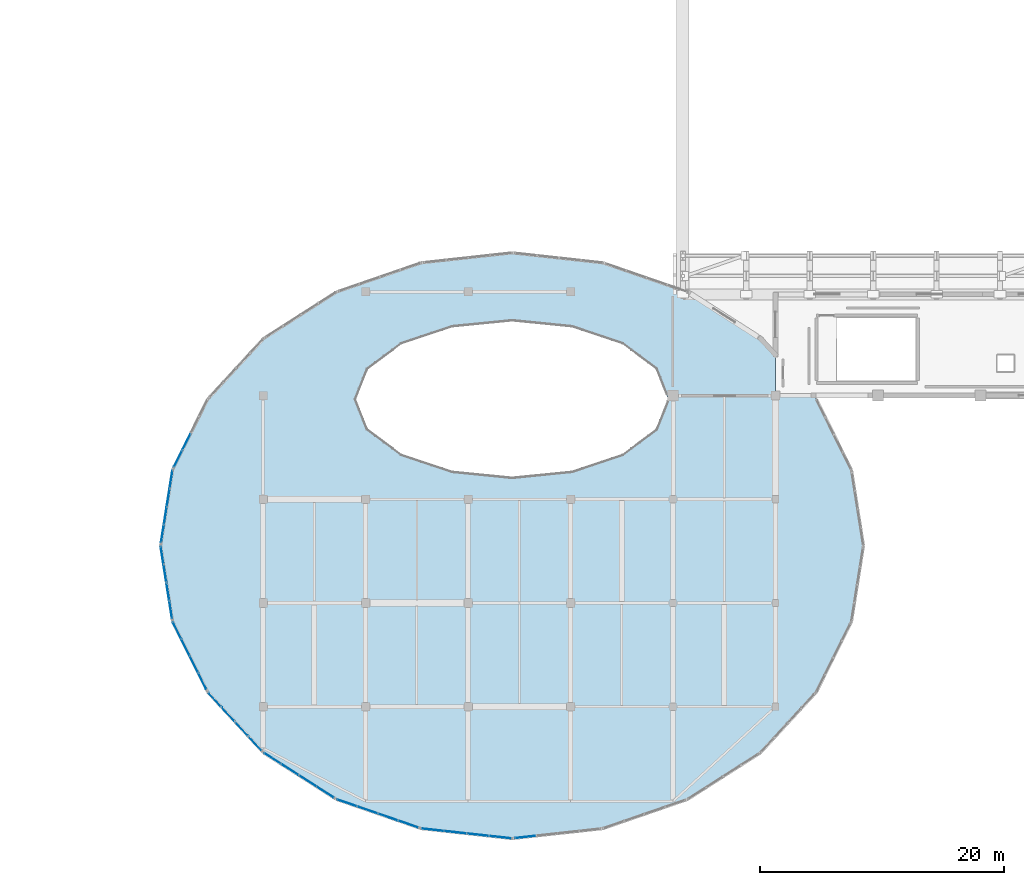
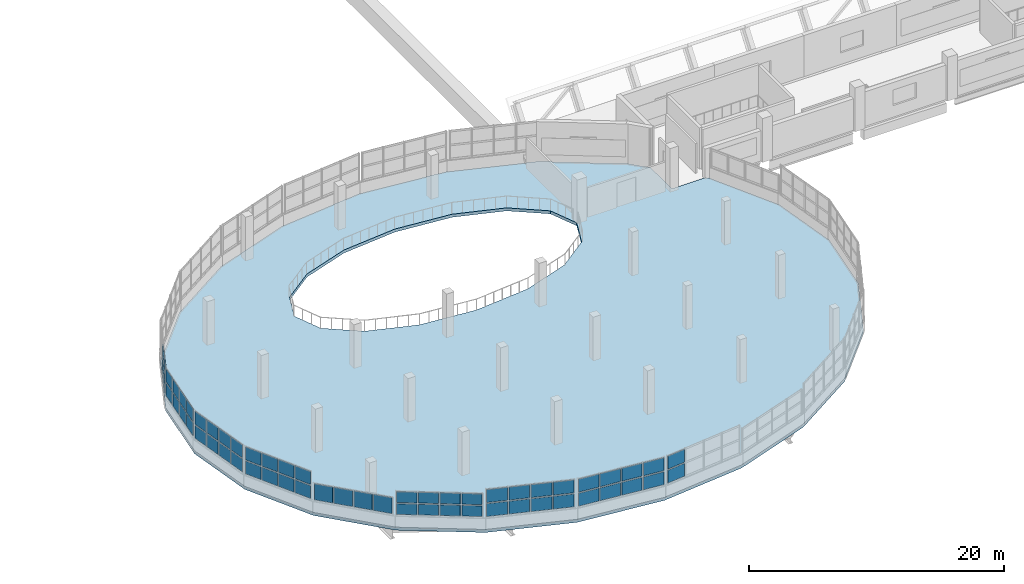
# One storey, part 33 of 52: 58 plates, 1 slab, 9 elements without a shape of their own.
"""IFC4 building model written with IfcOpenShell, lengths in metres."""

from ifc_helpers import new_model, si_unit, direction, frame, origin, origin_2d, place, context, subcontext, project, spatial, polyline, rectangle, outline, extrude, material, layer, layer_set, type_object, element, aggregate, save


model = new_model("IFC4")

# Units and contexts
model_context = context("Model", 3, precision=1e-05, world=origin(), true_north=direction((0.0, 1.0)))
body_context = subcontext(model_context, "Body", "Model", "MODEL_VIEW")
ifc_project = project(units=[si_unit("LENGTHUNIT", "METRE"), si_unit("AREAUNIT", "SQUARE_METRE"), si_unit("VOLUMEUNIT", "CUBIC_METRE"), si_unit("PLANEANGLEUNIT", "RADIAN"), si_unit("MASSUNIT", "GRAM", prefix="KILO")], contexts=[model_context])

# Site, building, storey
site_placement = place(None, origin())
site = spatial("IfcSite", under=ifc_project, at=site_placement, CompositionType="ELEMENT")
building_placement = place(site_placement, origin())
building = spatial("IfcBuilding", under=site, at=building_placement, Name="Solvento Point Concert Hall", CompositionType="ELEMENT")
storey_placement = place(building_placement, frame((0.0, 0.0, 19.5)))
storey = spatial("IfcBuildingStorey", under=building, at=storey_placement, Name="L04", CompositionType="ELEMENT", Elevation=19.5)

# Curtain wall, plates
ifc_material_1 = material(Name="Anodized Bronze Aluminium", Category="aluminium")
curtain_wall_type = type_object("IfcCurtainWallType", Name="CurtainWall_RingRibbon_L03_04", PredefinedType="USERDEFINED", material=ifc_material_1)
curtain_wall_1_placement = place(storey_placement, origin())
curtain_wall_1 = element("IfcCurtainWall", 1, at=curtain_wall_1_placement, inside=storey, type_object=curtain_wall_type, Name="Unitised curtain wall CW-31 UCW-L04-209", ObjectType="UNITISED CURTAIN WALL", PredefinedType="USERDEFINED")
ifc_material_2 = material(Name="Hurricane Laminated Low-E Glass", Category="glass")
plate_type = type_object("IfcPlateType", Name="CurtainPanel_RingUpper", PredefinedType="CURTAIN_PANEL", material=ifc_material_2)
plate_1_placement = place(storey_placement, frame((60.245849609375, 6.3046875, 1.239990234375), z_axis=(0.0, 0.0, 1.0), x_axis=(-0.994035418963, 0.109057717961, 0.0)))
plate_1 = element("IfcPlate", 2, at=plate_1_placement, type_object=plate_type, Name="Glazed curtain panel GL-03", PredefinedType="CURTAIN_PANEL", context=body_context, shape_type="SweptSolid", body=[
    extrude(rectangle(XDim=1.73974609375, YDim=0.035888671875, at=origin_2d()), origin(), (0.0, 0.0, 1.0), 1.22998046875),
])
plate_2_placement = place(storey_placement, frame((60.245849609375, 6.3046875, 2.590087890625), z_axis=(0.0, 0.0, 1.0), x_axis=(-0.994035418963, 0.109057717961, 0.0)))
plate_2 = element("IfcPlate", 3, at=plate_2_placement, type_object=plate_type, Name="Glazed curtain panel GL-03", PredefinedType="CURTAIN_PANEL", context=body_context, shape_type="SweptSolid", body=[
    extrude(rectangle(XDim=1.73974609375, YDim=0.035888671875, at=origin_2d()), origin(), (0.0, 0.0, 1.0), 1.22998046875),
])
plate_3_placement = place(storey_placement, frame((58.397216796875, 6.507568359375, 1.239990234375), z_axis=(0.0, 0.0, 1.0), x_axis=(-0.994035418963, 0.109057717961, 0.0)))
plate_3 = element("IfcPlate", 4, at=plate_3_placement, type_object=plate_type, Name="Glazed curtain panel GL-03", PredefinedType="CURTAIN_PANEL", context=body_context, shape_type="SweptSolid", body=[
    extrude(rectangle(XDim=1.73974609375, YDim=0.035888671875, at=origin_2d()), origin(), (0.0, 0.0, 1.0), 1.22998046875),
])
plate_4_placement = place(storey_placement, frame((58.397216796875, 6.507568359375, 2.590087890625), z_axis=(0.0, 0.0, 1.0), x_axis=(-0.994035418963, 0.109057717961, 0.0)))
plate_4 = element("IfcPlate", 5, at=plate_4_placement, type_object=plate_type, Name="Glazed curtain panel GL-03", PredefinedType="CURTAIN_PANEL", context=body_context, shape_type="SweptSolid", body=[
    extrude(rectangle(XDim=1.73974609375, YDim=0.035888671875, at=origin_2d()), origin(), (0.0, 0.0, 1.0), 1.22998046875),
])
plate_5_placement = place(storey_placement, frame((56.548583984375, 6.710205078125, 1.239990234375), z_axis=(0.0, 0.0, 1.0), x_axis=(-0.994035418963, 0.109057717961, 0.0)))
plate_5 = element("IfcPlate", 6, at=plate_5_placement, type_object=plate_type, Name="Glazed curtain panel GL-03", PredefinedType="CURTAIN_PANEL", context=body_context, shape_type="SweptSolid", body=[
    extrude(rectangle(XDim=1.73974609375, YDim=0.035888671875, at=origin_2d()), origin(), (0.0, 0.0, 1.0), 1.22998046875),
])
plate_6_placement = place(storey_placement, frame((56.548583984375, 6.710205078125, 2.590087890625), z_axis=(0.0, 0.0, 1.0), x_axis=(-0.994035418963, 0.109057717961, 0.0)))
plate_6 = element("IfcPlate", 7, at=plate_6_placement, type_object=plate_type, Name="Glazed curtain panel GL-03", PredefinedType="CURTAIN_PANEL", context=body_context, shape_type="SweptSolid", body=[
    extrude(rectangle(XDim=1.73974609375, YDim=0.035888671875, at=origin_2d()), origin(), (0.0, 0.0, 1.0), 1.22998046875),
])
plate_7_placement = place(storey_placement, frame((54.7001953125, 6.9130859375, 1.239990234375), z_axis=(0.0, 0.0, 1.0), x_axis=(-0.994035418963, 0.109057717961, 0.0)))
plate_7 = element("IfcPlate", 8, at=plate_7_placement, type_object=plate_type, Name="Glazed curtain panel GL-03", PredefinedType="CURTAIN_PANEL", context=body_context, shape_type="SweptSolid", body=[
    extrude(rectangle(XDim=1.73974609375, YDim=0.035888671875, at=origin_2d()), origin(), (0.0, 0.0, 1.0), 1.22998046875),
])
plate_8_placement = place(storey_placement, frame((54.7001953125, 6.9130859375, 2.590087890625), z_axis=(0.0, 0.0, 1.0), x_axis=(-0.994035418963, 0.109057717961, 0.0)))
plate_8 = element("IfcPlate", 9, at=plate_8_placement, type_object=plate_type, Name="Glazed curtain panel GL-03", PredefinedType="CURTAIN_PANEL", context=body_context, shape_type="SweptSolid", body=[
    extrude(rectangle(XDim=1.73974609375, YDim=0.035888671875, at=origin_2d()), origin(), (0.0, 0.0, 1.0), 1.22998046875),
])
aggregate(curtain_wall_1, [plate_1, plate_2, plate_3, plate_4, plate_5, plate_6, plate_7, plate_8])

curtain_wall_2_placement = place(storey_placement, origin())
curtain_wall_2 = element("IfcCurtainWall", 10, at=curtain_wall_2_placement, inside=storey, type_object=curtain_wall_type, Name="Unitised curtain wall CW-31 UCW-L04-210", ObjectType="UNITISED CURTAIN WALL", PredefinedType="USERDEFINED")
plate_9_placement = place(storey_placement, frame((52.69921875, 7.379150390625, 1.239990234375), z_axis=(0.0, 0.0, 1.0), x_axis=(-0.945271125843, 0.326285915492, 0.0)))
plate_9 = element("IfcPlate", 11, at=plate_9_placement, type_object=plate_type, Name="Glazed curtain panel GL-03", PredefinedType="CURTAIN_PANEL", context=body_context, shape_type="SweptSolid", body=[
    extrude(rectangle(XDim=1.654541015625, YDim=0.035888671875, at=origin_2d()), origin(), (0.0, 0.0, 1.0), 1.22998046875),
])
plate_10_placement = place(storey_placement, frame((52.69921875, 7.379150390625, 2.590087890625), z_axis=(0.0, 0.0, 1.0), x_axis=(-0.945271125843, 0.326285915492, 0.0)))
plate_10 = element("IfcPlate", 12, at=plate_10_placement, type_object=plate_type, Name="Glazed curtain panel GL-03", PredefinedType="CURTAIN_PANEL", context=body_context, shape_type="SweptSolid", body=[
    extrude(rectangle(XDim=1.654541015625, YDim=0.035888671875, at=origin_2d()), origin(), (0.0, 0.0, 1.0), 1.22998046875),
])
plate_11_placement = place(storey_placement, frame((51.02197265625, 7.9580078125, 1.239990234375), z_axis=(0.0, 0.0, 1.0), x_axis=(-0.945271125843, 0.326285915492, 0.0)))
plate_11 = element("IfcPlate", 13, at=plate_11_placement, type_object=plate_type, Name="Glazed curtain panel GL-03", PredefinedType="CURTAIN_PANEL", context=body_context, shape_type="SweptSolid", body=[
    extrude(rectangle(XDim=1.654541015625, YDim=0.035888671875, at=origin_2d()), origin(), (0.0, 0.0, 1.0), 1.22998046875),
])
plate_12_placement = place(storey_placement, frame((51.02197265625, 7.9580078125, 2.590087890625), z_axis=(0.0, 0.0, 1.0), x_axis=(-0.945271125843, 0.326285915492, 0.0)))
plate_12 = element("IfcPlate", 14, at=plate_12_placement, type_object=plate_type, Name="Glazed curtain panel GL-03", PredefinedType="CURTAIN_PANEL", context=body_context, shape_type="SweptSolid", body=[
    extrude(rectangle(XDim=1.654541015625, YDim=0.035888671875, at=origin_2d()), origin(), (0.0, 0.0, 1.0), 1.22998046875),
])
plate_13_placement = place(storey_placement, frame((49.344482421875, 8.537109375, 1.239990234375), z_axis=(0.0, 0.0, 1.0), x_axis=(-0.945271125843, 0.326285915492, 0.0)))
plate_13 = element("IfcPlate", 15, at=plate_13_placement, type_object=plate_type, Name="Glazed curtain panel GL-03", PredefinedType="CURTAIN_PANEL", context=body_context, shape_type="SweptSolid", body=[
    extrude(rectangle(XDim=1.654541015625, YDim=0.035888671875, at=origin_2d()), origin(), (0.0, 0.0, 1.0), 1.22998046875),
])
plate_14_placement = place(storey_placement, frame((49.344482421875, 8.537109375, 2.590087890625), z_axis=(0.0, 0.0, 1.0), x_axis=(-0.945271125843, 0.326285915492, 0.0)))
plate_14 = element("IfcPlate", 16, at=plate_14_placement, type_object=plate_type, Name="Glazed curtain panel GL-03", PredefinedType="CURTAIN_PANEL", context=body_context, shape_type="SweptSolid", body=[
    extrude(rectangle(XDim=1.654541015625, YDim=0.035888671875, at=origin_2d()), origin(), (0.0, 0.0, 1.0), 1.22998046875),
])
plate_15_placement = place(storey_placement, frame((47.6669921875, 9.1162109375, 1.239990234375), z_axis=(0.0, 0.0, 1.0), x_axis=(-0.945271125843, 0.326285915492, 0.0)))
plate_15 = element("IfcPlate", 17, at=plate_15_placement, type_object=plate_type, Name="Glazed curtain panel GL-03", PredefinedType="CURTAIN_PANEL", context=body_context, shape_type="SweptSolid", body=[
    extrude(rectangle(XDim=1.654541015625, YDim=0.035888671875, at=origin_2d()), origin(), (0.0, 0.0, 1.0), 1.22998046875),
])
plate_16_placement = place(storey_placement, frame((47.6669921875, 9.1162109375, 2.590087890625), z_axis=(0.0, 0.0, 1.0), x_axis=(-0.945271125843, 0.326285915492, 0.0)))
plate_16 = element("IfcPlate", 18, at=plate_16_placement, type_object=plate_type, Name="Glazed curtain panel GL-03", PredefinedType="CURTAIN_PANEL", context=body_context, shape_type="SweptSolid", body=[
    extrude(rectangle(XDim=1.654541015625, YDim=0.035888671875, at=origin_2d()), origin(), (0.0, 0.0, 1.0), 1.22998046875),
])
aggregate(curtain_wall_2, [plate_9, plate_10, plate_11, plate_12, plate_13, plate_14, plate_15, plate_16])

curtain_wall_3_placement = place(storey_placement, origin())
curtain_wall_3 = element("IfcCurtainWall", 19, at=curtain_wall_3_placement, inside=storey, type_object=curtain_wall_type, Name="Unitised curtain wall CW-31 UCW-L04-211", ObjectType="UNITISED CURTAIN WALL", PredefinedType="USERDEFINED")
plate_17_placement = place(storey_placement, frame((45.8955078125, 9.993896484375, 1.240234375), z_axis=(0.0, 0.0, 1.0), x_axis=(-0.842490008251, 0.538711969421, 0.0)))
plate_17 = element("IfcPlate", 20, at=plate_17_placement, type_object=plate_type, Name="Glazed curtain panel GL-03", PredefinedType="CURTAIN_PANEL", context=body_context, shape_type="SweptSolid", body=[
    extrude(rectangle(XDim=1.58740234375, YDim=0.035888671875, at=origin_2d()), origin(), (0.0, 0.0, 1.0), 1.023681640625),
])
plate_18_placement = place(storey_placement, frame((45.8955078125, 9.993896484375, 2.3837890625), z_axis=(0.0, 0.0, 1.0), x_axis=(-0.842490008251, 0.538711969421, 0.0)))
plate_18 = element("IfcPlate", 21, at=plate_18_placement, type_object=plate_type, Name="Glazed curtain panel GL-03", PredefinedType="CURTAIN_PANEL", context=body_context, shape_type="SweptSolid", body=[
    extrude(rectangle(XDim=1.58740234375, YDim=0.035888671875, at=origin_2d()), origin(), (0.0, 0.0, 1.0), 1.023681640625),
])
plate_19_placement = place(storey_placement, frame((44.456787109375, 10.913818359375, 1.240234375), z_axis=(0.0, 0.0, 1.0), x_axis=(-0.842490008251, 0.538711969421, 0.0)))
plate_19 = element("IfcPlate", 22, at=plate_19_placement, type_object=plate_type, Name="Glazed curtain panel GL-03", PredefinedType="CURTAIN_PANEL", context=body_context, shape_type="SweptSolid", body=[
    extrude(rectangle(XDim=1.58740234375, YDim=0.035888671875, at=origin_2d()), origin(), (0.0, 0.0, 1.0), 1.023681640625),
])
plate_20_placement = place(storey_placement, frame((44.456787109375, 10.913818359375, 2.3837890625), z_axis=(0.0, 0.0, 1.0), x_axis=(-0.842490008251, 0.538711969421, 0.0)))
plate_20 = element("IfcPlate", 23, at=plate_20_placement, type_object=plate_type, Name="Glazed curtain panel GL-03", PredefinedType="CURTAIN_PANEL", context=body_context, shape_type="SweptSolid", body=[
    extrude(rectangle(XDim=1.58740234375, YDim=0.035888671875, at=origin_2d()), origin(), (0.0, 0.0, 1.0), 1.023681640625),
])
plate_21_placement = place(storey_placement, frame((43.018310546875, 11.83349609375, 1.240234375), z_axis=(0.0, 0.0, 1.0), x_axis=(-0.842490008251, 0.538711969421, 0.0)))
plate_21 = element("IfcPlate", 24, at=plate_21_placement, type_object=plate_type, Name="Glazed curtain panel GL-03", PredefinedType="CURTAIN_PANEL", context=body_context, shape_type="SweptSolid", body=[
    extrude(rectangle(XDim=1.58740234375, YDim=0.035888671875, at=origin_2d()), origin(), (0.0, 0.0, 1.0), 1.023681640625),
])
plate_22_placement = place(storey_placement, frame((43.018310546875, 11.83349609375, 2.3837890625), z_axis=(0.0, 0.0, 1.0), x_axis=(-0.842490008251, 0.538711969421, 0.0)))
plate_22 = element("IfcPlate", 25, at=plate_22_placement, type_object=plate_type, Name="Glazed curtain panel GL-03", PredefinedType="CURTAIN_PANEL", context=body_context, shape_type="SweptSolid", body=[
    extrude(rectangle(XDim=1.58740234375, YDim=0.035888671875, at=origin_2d()), origin(), (0.0, 0.0, 1.0), 1.023681640625),
])
plate_23_placement = place(storey_placement, frame((41.579833984375, 12.75341796875, 1.240234375), z_axis=(0.0, 0.0, 1.0), x_axis=(-0.842490008251, 0.538711969421, 0.0)))
plate_23 = element("IfcPlate", 26, at=plate_23_placement, type_object=plate_type, Name="Glazed curtain panel GL-03", PredefinedType="CURTAIN_PANEL", context=body_context, shape_type="SweptSolid", body=[
    extrude(rectangle(XDim=1.58740234375, YDim=0.035888671875, at=origin_2d()), origin(), (0.0, 0.0, 1.0), 1.023681640625),
])
plate_24_placement = place(storey_placement, frame((41.579833984375, 12.75341796875, 2.3837890625), z_axis=(0.0, 0.0, 1.0), x_axis=(-0.842490008251, 0.538711969421, 0.0)))
plate_24 = element("IfcPlate", 27, at=plate_24_placement, type_object=plate_type, Name="Glazed curtain panel GL-03", PredefinedType="CURTAIN_PANEL", context=body_context, shape_type="SweptSolid", body=[
    extrude(rectangle(XDim=1.58740234375, YDim=0.035888671875, at=origin_2d()), origin(), (0.0, 0.0, 1.0), 1.023681640625),
])
aggregate(curtain_wall_3, [plate_17, plate_18, plate_19, plate_20, plate_21, plate_22, plate_23, plate_24])

curtain_wall_4_placement = place(storey_placement, origin())
curtain_wall_4 = element("IfcCurtainWall", 28, at=curtain_wall_4_placement, inside=storey, type_object=curtain_wall_type, Name="Unitised curtain wall CW-31 UCW-L04-212", ObjectType="UNITISED CURTAIN WALL", PredefinedType="USERDEFINED")
plate_25_placement = place(storey_placement, frame((40.13525390625, 13.989501953125, 1.240234375), z_axis=(0.0, 0.0, 1.0), x_axis=(-0.677365302802, 0.735646821892, 0.0)))
plate_25 = element("IfcPlate", 29, at=plate_25_placement, type_object=plate_type, Name="Glazed curtain panel GL-03", PredefinedType="CURTAIN_PANEL", context=body_context, shape_type="SweptSolid", body=[
    extrude(rectangle(XDim=1.506591796875, YDim=0.035888671875, at=origin_2d()), origin(), (0.0, 0.0, 1.0), 1.531982421875),
])
plate_26_placement = place(storey_placement, frame((39.033447265625, 15.186279296875, 1.240234375), z_axis=(0.0, 0.0, 1.0), x_axis=(-0.677365302802, 0.735646821892, 0.0)))
plate_26 = element("IfcPlate", 30, at=plate_26_placement, type_object=plate_type, Name="Glazed curtain panel GL-03", PredefinedType="CURTAIN_PANEL", context=body_context, shape_type="SweptSolid", body=[
    extrude(rectangle(XDim=1.506591796875, YDim=0.035888671875, at=origin_2d()), origin(), (0.0, 0.0, 1.0), 1.531982421875),
])
plate_27_placement = place(storey_placement, frame((37.931640625, 16.3828125, 1.240234375), z_axis=(0.0, 0.0, 1.0), x_axis=(-0.677365302802, 0.735646821892, 0.0)))
plate_27 = element("IfcPlate", 31, at=plate_27_placement, type_object=plate_type, Name="Glazed curtain panel GL-03", PredefinedType="CURTAIN_PANEL", context=body_context, shape_type="SweptSolid", body=[
    extrude(rectangle(XDim=1.506591796875, YDim=0.035888671875, at=origin_2d()), origin(), (0.0, 0.0, 1.0), 1.531982421875),
])
plate_28_placement = place(storey_placement, frame((36.829833984375, 17.57958984375, 1.240234375), z_axis=(0.0, 0.0, 1.0), x_axis=(-0.677365302802, 0.735646821892, 0.0)))
plate_28 = element("IfcPlate", 32, at=plate_28_placement, type_object=plate_type, Name="Glazed curtain panel GL-03", PredefinedType="CURTAIN_PANEL", context=body_context, shape_type="SweptSolid", body=[
    extrude(rectangle(XDim=1.506591796875, YDim=0.035888671875, at=origin_2d()), origin(), (0.0, 0.0, 1.0), 1.531982421875),
])
aggregate(curtain_wall_4, [plate_25, plate_26, plate_27, plate_28])

curtain_wall_5_placement = place(storey_placement, origin())
curtain_wall_5 = element("IfcCurtainWall", 33, at=curtain_wall_5_placement, inside=storey, type_object=curtain_wall_type, Name="Unitised curtain wall CW-31 UCW-L04-213", ObjectType="UNITISED CURTAIN WALL", PredefinedType="USERDEFINED")
plate_29_placement = place(storey_placement, frame((35.814697265625, 19.092529296875, 1.239990234375), z_axis=(0.0, 0.0, 1.0), x_axis=(-0.445115052099, 0.895473388993, 0.0)))
plate_29 = element("IfcPlate", 34, at=plate_29_placement, type_object=plate_type, Name="Glazed curtain panel GL-03", PredefinedType="CURTAIN_PANEL", context=body_context, shape_type="SweptSolid", body=[
    extrude(rectangle(XDim=1.43359375, YDim=0.035888671875, at=origin_2d()), origin(), (0.0, 0.0, 1.0), 1.22998046875),
])
plate_30_placement = place(storey_placement, frame((35.814697265625, 19.092529296875, 2.590087890625), z_axis=(0.0, 0.0, 1.0), x_axis=(-0.445115052099, 0.895473388993, 0.0)))
plate_30 = element("IfcPlate", 35, at=plate_30_placement, type_object=plate_type, Name="Glazed curtain panel GL-03", PredefinedType="CURTAIN_PANEL", context=body_context, shape_type="SweptSolid", body=[
    extrude(rectangle(XDim=1.43359375, YDim=0.035888671875, at=origin_2d()), origin(), (0.0, 0.0, 1.0), 1.22998046875),
])
plate_31_placement = place(storey_placement, frame((35.123291015625, 20.483642578125, 1.239990234375), z_axis=(0.0, 0.0, 1.0), x_axis=(-0.445115052099, 0.895473388993, 0.0)))
plate_31 = element("IfcPlate", 36, at=plate_31_placement, type_object=plate_type, Name="Glazed curtain panel GL-03", PredefinedType="CURTAIN_PANEL", context=body_context, shape_type="SweptSolid", body=[
    extrude(rectangle(XDim=1.43359375, YDim=0.035888671875, at=origin_2d()), origin(), (0.0, 0.0, 1.0), 1.22998046875),
])
plate_32_placement = place(storey_placement, frame((35.123291015625, 20.483642578125, 2.590087890625), z_axis=(0.0, 0.0, 1.0), x_axis=(-0.445115052099, 0.895473388993, 0.0)))
plate_32 = element("IfcPlate", 37, at=plate_32_placement, type_object=plate_type, Name="Glazed curtain panel GL-03", PredefinedType="CURTAIN_PANEL", context=body_context, shape_type="SweptSolid", body=[
    extrude(rectangle(XDim=1.43359375, YDim=0.035888671875, at=origin_2d()), origin(), (0.0, 0.0, 1.0), 1.22998046875),
])
plate_33_placement = place(storey_placement, frame((34.431884765625, 21.874755859375, 1.239990234375), z_axis=(0.0, 0.0, 1.0), x_axis=(-0.445115052099, 0.895473388993, 0.0)))
plate_33 = element("IfcPlate", 38, at=plate_33_placement, type_object=plate_type, Name="Glazed curtain panel GL-03", PredefinedType="CURTAIN_PANEL", context=body_context, shape_type="SweptSolid", body=[
    extrude(rectangle(XDim=1.43359375, YDim=0.035888671875, at=origin_2d()), origin(), (0.0, 0.0, 1.0), 1.22998046875),
])
plate_34_placement = place(storey_placement, frame((34.431884765625, 21.874755859375, 2.590087890625), z_axis=(0.0, 0.0, 1.0), x_axis=(-0.445115052099, 0.895473388993, 0.0)))
plate_34 = element("IfcPlate", 39, at=plate_34_placement, type_object=plate_type, Name="Glazed curtain panel GL-03", PredefinedType="CURTAIN_PANEL", context=body_context, shape_type="SweptSolid", body=[
    extrude(rectangle(XDim=1.43359375, YDim=0.035888671875, at=origin_2d()), origin(), (0.0, 0.0, 1.0), 1.22998046875),
])
plate_35_placement = place(storey_placement, frame((33.740478515625, 23.265869140625, 1.239990234375), z_axis=(0.0, 0.0, 1.0), x_axis=(-0.445115052099, 0.895473388993, 0.0)))
plate_35 = element("IfcPlate", 40, at=plate_35_placement, type_object=plate_type, Name="Glazed curtain panel GL-03", PredefinedType="CURTAIN_PANEL", context=body_context, shape_type="SweptSolid", body=[
    extrude(rectangle(XDim=1.43359375, YDim=0.035888671875, at=origin_2d()), origin(), (0.0, 0.0, 1.0), 1.22998046875),
])
plate_36_placement = place(storey_placement, frame((33.740478515625, 23.265869140625, 2.590087890625), z_axis=(0.0, 0.0, 1.0), x_axis=(-0.445115052099, 0.895473388993, 0.0)))
plate_36 = element("IfcPlate", 41, at=plate_36_placement, type_object=plate_type, Name="Glazed curtain panel GL-03", PredefinedType="CURTAIN_PANEL", context=body_context, shape_type="SweptSolid", body=[
    extrude(rectangle(XDim=1.43359375, YDim=0.035888671875, at=origin_2d()), origin(), (0.0, 0.0, 1.0), 1.22998046875),
])
aggregate(curtain_wall_5, [plate_29, plate_30, plate_31, plate_32, plate_33, plate_34, plate_35, plate_36])

curtain_wall_6_placement = place(storey_placement, origin())
curtain_wall_6 = element("IfcCurtainWall", 42, at=curtain_wall_6_placement, inside=storey, type_object=curtain_wall_type, Name="Unitised curtain wall CW-31 UCW-L04-214", ObjectType="UNITISED CURTAIN WALL", PredefinedType="USERDEFINED")
plate_37_placement = place(storey_placement, frame((33.229248046875, 24.951171875, 1.239990234375), z_axis=(0.0, 0.0, 1.0), x_axis=(-0.156041416836, 0.987750513152, 0.0)))
plate_37 = element("IfcPlate", 43, at=plate_37_placement, type_object=plate_type, Name="Glazed curtain panel GL-03", PredefinedType="CURTAIN_PANEL", context=body_context, shape_type="SweptSolid", body=[
    extrude(rectangle(XDim=1.3896484375, YDim=0.035888671875, at=origin_2d()), origin(), (0.0, 0.0, 1.0), 1.22998046875),
])
plate_38_placement = place(storey_placement, frame((33.229248046875, 24.951171875, 2.590087890625), z_axis=(0.0, 0.0, 1.0), x_axis=(-0.156041416836, 0.987750513152, 0.0)))
plate_38 = element("IfcPlate", 44, at=plate_38_placement, type_object=plate_type, Name="Glazed curtain panel GL-03", PredefinedType="CURTAIN_PANEL", context=body_context, shape_type="SweptSolid", body=[
    extrude(rectangle(XDim=1.3896484375, YDim=0.035888671875, at=origin_2d()), origin(), (0.0, 0.0, 1.0), 1.22998046875),
])
plate_39_placement = place(storey_placement, frame((32.99365234375, 26.4423828125, 1.239990234375), z_axis=(0.0, 0.0, 1.0), x_axis=(-0.156041416836, 0.987750513152, 0.0)))
plate_39 = element("IfcPlate", 45, at=plate_39_placement, type_object=plate_type, Name="Glazed curtain panel GL-03", PredefinedType="CURTAIN_PANEL", context=body_context, shape_type="SweptSolid", body=[
    extrude(rectangle(XDim=1.3896484375, YDim=0.035888671875, at=origin_2d()), origin(), (0.0, 0.0, 1.0), 1.22998046875),
])
plate_40_placement = place(storey_placement, frame((32.99365234375, 26.4423828125, 2.590087890625), z_axis=(0.0, 0.0, 1.0), x_axis=(-0.156041416836, 0.987750513152, 0.0)))
plate_40 = element("IfcPlate", 46, at=plate_40_placement, type_object=plate_type, Name="Glazed curtain panel GL-03", PredefinedType="CURTAIN_PANEL", context=body_context, shape_type="SweptSolid", body=[
    extrude(rectangle(XDim=1.3896484375, YDim=0.035888671875, at=origin_2d()), origin(), (0.0, 0.0, 1.0), 1.22998046875),
])
plate_41_placement = place(storey_placement, frame((32.758056640625, 27.93359375, 1.239990234375), z_axis=(0.0, 0.0, 1.0), x_axis=(-0.156041416836, 0.987750513152, 0.0)))
plate_41 = element("IfcPlate", 47, at=plate_41_placement, type_object=plate_type, Name="Glazed curtain panel GL-03", PredefinedType="CURTAIN_PANEL", context=body_context, shape_type="SweptSolid", body=[
    extrude(rectangle(XDim=1.3896484375, YDim=0.035888671875, at=origin_2d()), origin(), (0.0, 0.0, 1.0), 1.22998046875),
])
plate_42_placement = place(storey_placement, frame((32.758056640625, 27.93359375, 2.590087890625), z_axis=(0.0, 0.0, 1.0), x_axis=(-0.156041416836, 0.987750513152, 0.0)))
plate_42 = element("IfcPlate", 48, at=plate_42_placement, type_object=plate_type, Name="Glazed curtain panel GL-03", PredefinedType="CURTAIN_PANEL", context=body_context, shape_type="SweptSolid", body=[
    extrude(rectangle(XDim=1.3896484375, YDim=0.035888671875, at=origin_2d()), origin(), (0.0, 0.0, 1.0), 1.22998046875),
])
plate_43_placement = place(storey_placement, frame((32.5224609375, 29.4248046875, 1.239990234375), z_axis=(0.0, 0.0, 1.0), x_axis=(-0.156041416836, 0.987750513152, 0.0)))
plate_43 = element("IfcPlate", 49, at=plate_43_placement, type_object=plate_type, Name="Glazed curtain panel GL-03", PredefinedType="CURTAIN_PANEL", context=body_context, shape_type="SweptSolid", body=[
    extrude(rectangle(XDim=1.3896484375, YDim=0.035888671875, at=origin_2d()), origin(), (0.0, 0.0, 1.0), 1.22998046875),
])
plate_44_placement = place(storey_placement, frame((32.5224609375, 29.4248046875, 2.590087890625), z_axis=(0.0, 0.0, 1.0), x_axis=(-0.156041416836, 0.987750513152, 0.0)))
plate_44 = element("IfcPlate", 50, at=plate_44_placement, type_object=plate_type, Name="Glazed curtain panel GL-03", PredefinedType="CURTAIN_PANEL", context=body_context, shape_type="SweptSolid", body=[
    extrude(rectangle(XDim=1.3896484375, YDim=0.035888671875, at=origin_2d()), origin(), (0.0, 0.0, 1.0), 1.22998046875),
])
aggregate(curtain_wall_6, [plate_37, plate_38, plate_39, plate_40, plate_41, plate_42, plate_43, plate_44])

curtain_wall_7_placement = place(storey_placement, origin())
curtain_wall_7 = element("IfcCurtainWall", 51, at=curtain_wall_7_placement, inside=storey, type_object=curtain_wall_type, Name="Unitised curtain wall CW-31 UCW-L04-215", ObjectType="UNITISED CURTAIN WALL", PredefinedType="USERDEFINED")
plate_45_placement = place(storey_placement, frame((32.552001953125, 31.162841796875, 1.239990234375), z_axis=(0.0, 0.0, 1.0), x_axis=(0.156041416836, 0.987750513152, 0.0)))
plate_45 = element("IfcPlate", 52, at=plate_45_placement, type_object=plate_type, Name="Glazed curtain panel GL-03", PredefinedType="CURTAIN_PANEL", context=body_context, shape_type="SweptSolid", body=[
    extrude(rectangle(XDim=1.3896484375, YDim=0.035888671875, at=origin_2d()), origin(), (0.0, 0.0, 1.0), 1.22998046875),
])
plate_46_placement = place(storey_placement, frame((32.552001953125, 31.162841796875, 2.590087890625), z_axis=(0.0, 0.0, 1.0), x_axis=(0.156041416836, 0.987750513152, 0.0)))
plate_46 = element("IfcPlate", 53, at=plate_46_placement, type_object=plate_type, Name="Glazed curtain panel GL-03", PredefinedType="CURTAIN_PANEL", context=body_context, shape_type="SweptSolid", body=[
    extrude(rectangle(XDim=1.3896484375, YDim=0.035888671875, at=origin_2d()), origin(), (0.0, 0.0, 1.0), 1.22998046875),
])
plate_47_placement = place(storey_placement, frame((32.78759765625, 32.654052734375, 1.239990234375), z_axis=(0.0, 0.0, 1.0), x_axis=(0.156041416836, 0.987750513152, 0.0)))
plate_47 = element("IfcPlate", 54, at=plate_47_placement, type_object=plate_type, Name="Glazed curtain panel GL-03", PredefinedType="CURTAIN_PANEL", context=body_context, shape_type="SweptSolid", body=[
    extrude(rectangle(XDim=1.3896484375, YDim=0.035888671875, at=origin_2d()), origin(), (0.0, 0.0, 1.0), 1.22998046875),
])
plate_48_placement = place(storey_placement, frame((32.78759765625, 32.654052734375, 2.590087890625), z_axis=(0.0, 0.0, 1.0), x_axis=(0.156041416836, 0.987750513152, 0.0)))
plate_48 = element("IfcPlate", 55, at=plate_48_placement, type_object=plate_type, Name="Glazed curtain panel GL-03", PredefinedType="CURTAIN_PANEL", context=body_context, shape_type="SweptSolid", body=[
    extrude(rectangle(XDim=1.3896484375, YDim=0.035888671875, at=origin_2d()), origin(), (0.0, 0.0, 1.0), 1.22998046875),
])
plate_49_placement = place(storey_placement, frame((33.023193359375, 34.145263671875, 1.239990234375), z_axis=(0.0, 0.0, 1.0), x_axis=(0.156041416836, 0.987750513152, 0.0)))
plate_49 = element("IfcPlate", 56, at=plate_49_placement, type_object=plate_type, Name="Glazed curtain panel GL-03", PredefinedType="CURTAIN_PANEL", context=body_context, shape_type="SweptSolid", body=[
    extrude(rectangle(XDim=1.3896484375, YDim=0.035888671875, at=origin_2d()), origin(), (0.0, 0.0, 1.0), 1.22998046875),
])
plate_50_placement = place(storey_placement, frame((33.023193359375, 34.145263671875, 2.590087890625), z_axis=(0.0, 0.0, 1.0), x_axis=(0.156041416836, 0.987750513152, 0.0)))
plate_50 = element("IfcPlate", 57, at=plate_50_placement, type_object=plate_type, Name="Glazed curtain panel GL-03", PredefinedType="CURTAIN_PANEL", context=body_context, shape_type="SweptSolid", body=[
    extrude(rectangle(XDim=1.3896484375, YDim=0.035888671875, at=origin_2d()), origin(), (0.0, 0.0, 1.0), 1.22998046875),
])
plate_51_placement = place(storey_placement, frame((33.2587890625, 35.636474609375, 1.239990234375), z_axis=(0.0, 0.0, 1.0), x_axis=(0.156041416836, 0.987750513152, 0.0)))
plate_51 = element("IfcPlate", 58, at=plate_51_placement, type_object=plate_type, Name="Glazed curtain panel GL-03", PredefinedType="CURTAIN_PANEL", context=body_context, shape_type="SweptSolid", body=[
    extrude(rectangle(XDim=1.3896484375, YDim=0.035888671875, at=origin_2d()), origin(), (0.0, 0.0, 1.0), 1.22998046875),
])
plate_52_placement = place(storey_placement, frame((33.2587890625, 35.636474609375, 2.590087890625), z_axis=(0.0, 0.0, 1.0), x_axis=(0.156041416836, 0.987750513152, 0.0)))
plate_52 = element("IfcPlate", 59, at=plate_52_placement, type_object=plate_type, Name="Glazed curtain panel GL-03", PredefinedType="CURTAIN_PANEL", context=body_context, shape_type="SweptSolid", body=[
    extrude(rectangle(XDim=1.3896484375, YDim=0.035888671875, at=origin_2d()), origin(), (0.0, 0.0, 1.0), 1.22998046875),
])
aggregate(curtain_wall_7, [plate_45, plate_46, plate_47, plate_48, plate_49, plate_50, plate_51, plate_52])

curtain_wall_8_placement = place(storey_placement, origin())
curtain_wall_8 = element("IfcCurtainWall", 60, at=curtain_wall_8_placement, inside=storey, type_object=curtain_wall_type, Name="Unitised curtain wall CW-31 UCW-L04-216", ObjectType="UNITISED CURTAIN WALL", PredefinedType="USERDEFINED")
plate_53_placement = place(storey_placement, frame((33.824951171875, 37.30419921875, 1.239990234375), z_axis=(0.0, 0.0, 1.0), x_axis=(0.445115052099, 0.895473388993, 0.0)))
plate_53 = element("IfcPlate", 61, at=plate_53_placement, type_object=plate_type, Name="Glazed curtain panel GL-03", PredefinedType="CURTAIN_PANEL", context=body_context, shape_type="SweptSolid", body=[
    extrude(rectangle(XDim=1.43359375, YDim=0.035888671875, at=origin_2d()), origin(), (0.0, 0.0, 1.0), 1.22998046875),
])
plate_54_placement = place(storey_placement, frame((33.824951171875, 37.30419921875, 2.590087890625), z_axis=(0.0, 0.0, 1.0), x_axis=(0.445115052099, 0.895473388993, 0.0)))
plate_54 = element("IfcPlate", 62, at=plate_54_placement, type_object=plate_type, Name="Glazed curtain panel GL-03", PredefinedType="CURTAIN_PANEL", context=body_context, shape_type="SweptSolid", body=[
    extrude(rectangle(XDim=1.43359375, YDim=0.035888671875, at=origin_2d()), origin(), (0.0, 0.0, 1.0), 1.22998046875),
])
plate_55_placement = place(storey_placement, frame((34.516357421875, 38.6953125, 1.239990234375), z_axis=(0.0, 0.0, 1.0), x_axis=(0.445115052099, 0.895473388993, 0.0)))
plate_55 = element("IfcPlate", 63, at=plate_55_placement, type_object=plate_type, Name="Glazed curtain panel GL-03", PredefinedType="CURTAIN_PANEL", context=body_context, shape_type="SweptSolid", body=[
    extrude(rectangle(XDim=1.43359375, YDim=0.035888671875, at=origin_2d()), origin(), (0.0, 0.0, 1.0), 1.22998046875),
])
plate_56_placement = place(storey_placement, frame((34.516357421875, 38.6953125, 2.590087890625), z_axis=(0.0, 0.0, 1.0), x_axis=(0.445115052099, 0.895473388993, 0.0)))
plate_56 = element("IfcPlate", 64, at=plate_56_placement, type_object=plate_type, Name="Glazed curtain panel GL-03", PredefinedType="CURTAIN_PANEL", context=body_context, shape_type="SweptSolid", body=[
    extrude(rectangle(XDim=1.43359375, YDim=0.035888671875, at=origin_2d()), origin(), (0.0, 0.0, 1.0), 1.22998046875),
])
aggregate(curtain_wall_8, [plate_53, plate_54, plate_55, plate_56])

curtain_wall_9_placement = place(storey_placement, origin())
curtain_wall_9 = element("IfcCurtainWall", 65, at=curtain_wall_9_placement, inside=storey, type_object=curtain_wall_type, Name="Unitised curtain wall CW-31 UCW-L04-230", ObjectType="UNITISED CURTAIN WALL", PredefinedType="USERDEFINED")
plate_57_placement = place(storey_placement, frame((62.2958984375, 6.3203125, 1.239990234375), z_axis=(0.0, 0.0, 1.0), x_axis=(-0.994035418963, -0.109057717961, 0.0)))
plate_57 = element("IfcPlate", 66, at=plate_57_placement, type_object=plate_type, Name="Glazed curtain panel GL-03", PredefinedType="CURTAIN_PANEL", context=body_context, shape_type="SweptSolid", body=[
    extrude(rectangle(XDim=1.644775390625, YDim=0.035888671875, at=origin_2d()), origin(), (0.0, 0.0, 1.0), 1.22998046875),
])
plate_58_placement = place(storey_placement, frame((62.2958984375, 6.3203125, 2.590087890625), z_axis=(0.0, 0.0, 1.0), x_axis=(-0.994035418963, -0.109057717961, 0.0)))
plate_58 = element("IfcPlate", 67, at=plate_58_placement, type_object=plate_type, Name="Glazed curtain panel GL-03", PredefinedType="CURTAIN_PANEL", context=body_context, shape_type="SweptSolid", body=[
    extrude(rectangle(XDim=1.644775390625, YDim=0.035888671875, at=origin_2d()), origin(), (0.0, 0.0, 1.0), 1.22998046875),
])
aggregate(curtain_wall_9, [plate_57, plate_58])

# Slab
ifc_material_3 = material(Name="Concrete C35/45", Category="concrete")
ifc_layer = layer(ifc_material_3, 0.2900390625)
ifc_layer_set = layer_set([ifc_layer], Name="Concrete C35/45")
slab_type = type_object("IfcSlabType", Name="FloorSlab_290_Arc", PredefinedType="FLOOR", material=ifc_layer_set)
slab_placement = place(storey_placement, frame((0.0, 0.0, -0.2900390625)))
element("IfcSlab", 68, at=slab_placement, inside=storey, type_object=slab_type, Name="Structural slab SL-L04 SLAB-L04-V2RING", PredefinedType="FLOOR", context=body_context, shape_type="SweptSolid", body=[
    extrude(outline(polyline([(81.564697265625, 13.2294921875), (75.60009765625, 9.415283203125), (68.654052734375, 7.017822265625), (61.199951171875, 6.199951171875), (53.74609375, 7.017822265625), (46.800048828125, 9.415283203125), (40.835205078125, 13.2294921875), (36.258544921875, 18.199951171875), (33.38134765625, 23.98828125), (32.39990234375, 30.199951171875), (33.38134765625, 36.41162109375), (36.258544921875, 42.199951171875), (40.835205078125, 47.170654296875), (46.800048828125, 50.984619140625), (53.74609375, 53.382080078125), (61.199951171875, 54.199951171875), (68.654052734375, 53.382080078125), (75.60009765625, 50.984619140625), (81.564697265625, 47.170654296875), (82.800048828125, 45.8291015625), (82.800048828125, 42.5), (85.865234375, 42.5), (86.1416015625, 42.199951171875), (89.018798828125, 36.41162109375), (90.0, 30.199951171875), (89.018798828125, 23.98828125), (86.1416015625, 18.199951171875), (81.564697265625, 13.2294921875)]), holes=[polyline([(66.098388671875, 48.11279296875), (61.199951171875, 48.60009765625), (56.3017578125, 48.11279296875), (52.14892578125, 46.7255859375), (49.374267578125, 44.649169921875), (48.39990234375, 42.199951171875), (49.374267578125, 39.750732421875), (52.14892578125, 37.674560546875), (56.3017578125, 36.287109375), (61.199951171875, 35.800048828125), (66.098388671875, 36.287109375), (70.2509765625, 37.674560546875), (73.025634765625, 39.750732421875), (74.0, 42.199951171875), (73.025634765625, 44.649169921875), (70.2509765625, 46.7255859375), (66.098388671875, 48.11279296875)])]), origin(), (0.0, 0.0, 1.0), 0.2900390625),
])

save(model, "model.ifc")
